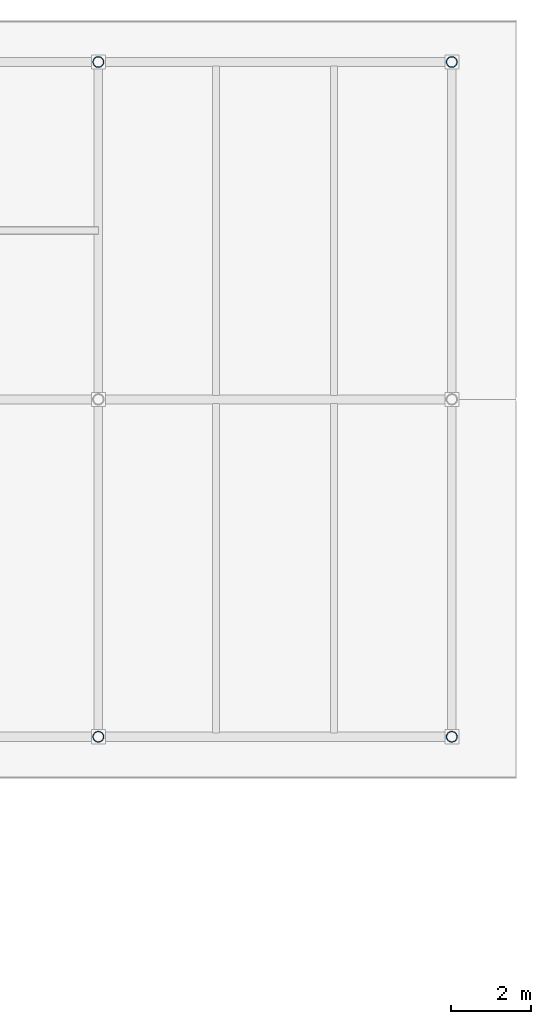
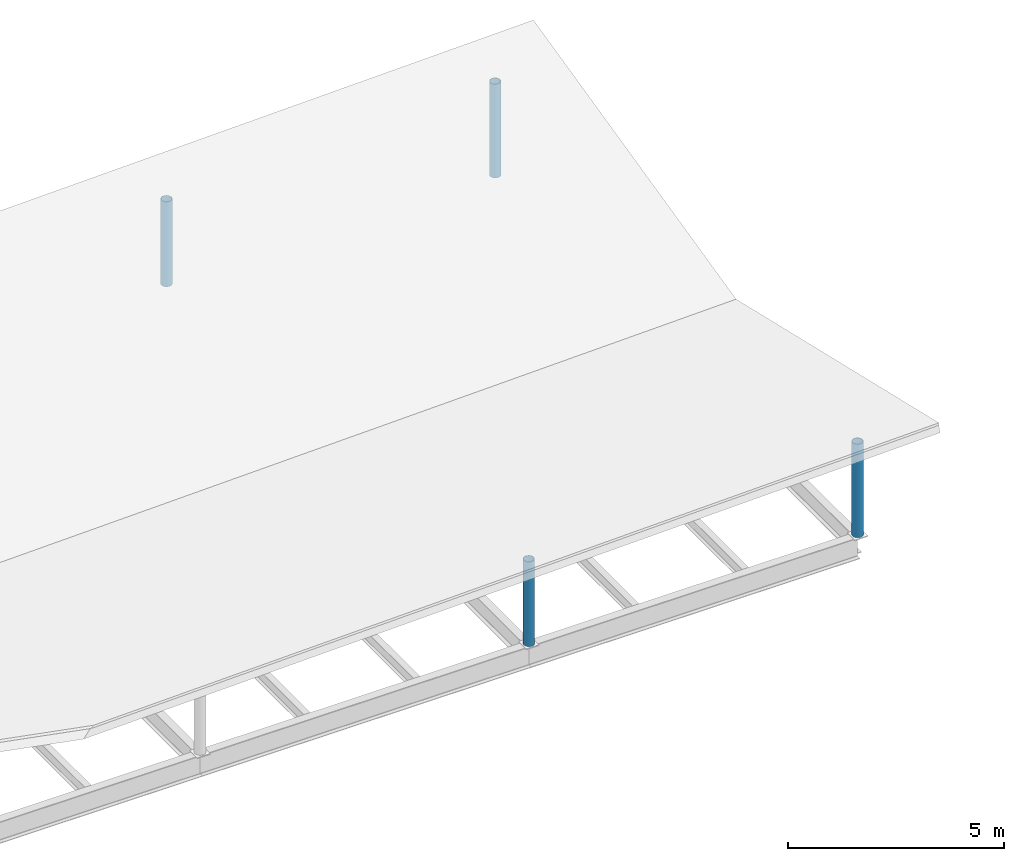
# One storey, part 5 of 65: 4 columns.
"""IFC4 building model written with IfcOpenShell, lengths in metres."""

from ifc_helpers import new_model, si_unit, direction, frame, origin, origin_2d, place, context, subcontext, project, spatial, hollow_circle, extrude, material, material_profile, profile_set, type_object, element, save


model = new_model("IFC4")

# Units and contexts
model_context = context("Model", 3, precision=1e-05, world=origin(), true_north=direction((0.0, 1.0)))
body_context = subcontext(model_context, "Body", "Model", "MODEL_VIEW")
ifc_project = project(units=[si_unit("LENGTHUNIT", "METRE"), si_unit("AREAUNIT", "SQUARE_METRE"), si_unit("VOLUMEUNIT", "CUBIC_METRE"), si_unit("PLANEANGLEUNIT", "RADIAN"), si_unit("MASSUNIT", "GRAM", prefix="KILO")], contexts=[model_context])

# Site, building, storey
site_placement = place(None, origin())
site = spatial("IfcSite", under=ifc_project, at=site_placement, CompositionType="ELEMENT")
building_placement = place(site_placement, origin())
building = spatial("IfcBuilding", under=site, at=building_placement, Name="Cinderway Yard Community Centre", CompositionType="ELEMENT")
storey_placement = place(building_placement, frame((0.0, 0.0, 24.300048828125)))
storey = spatial("IfcBuildingStorey", under=building, at=storey_placement, Name="RF", CompositionType="ELEMENT", Elevation=24.300048828125)

# Columns
ifc_material = material(Name="Steel S355", Category="steel")
ifc_material_profile = material_profile(ifc_material, hollow_circle(Radius=0.136474609375, WallThickness=0.012451171875, at=origin_2d()), Name="Steel S355")
ifc_profile_set = profile_set([ifc_material_profile], Name="Steel S355")
column_type = type_object("IfcColumnType", Name="STR-POST-CHS273", PredefinedType="PILASTER", material=ifc_profile_set)
for number, where, z_axis, x_axis, name in (
    (1, (110.39990234375, 98.39990234375, 0.0), (0.0, 0.0, 1.0), (1.0, 0.0, 0.0), "V4 scissored roof post 110_98"),
    (2, (110.39990234375, 115.199951171875, 0.0), (0.0, 0.0, 1.0), (1.0, 0.0, 0.0), "V4 scissored roof post 110_115"),
):
    element("IfcColumn", number, at=place(storey_placement, frame(where, z_axis=z_axis, x_axis=x_axis)), inside=storey, type_object=column_type, Name=name, PredefinedType="PILASTER", context=body_context, shape_type="SweptSolid", body=[
        extrude(hollow_circle(Radius=0.136474609375, WallThickness=0.012451171875, at=origin_2d()), origin(), (0.0, 0.0, 1.0), 2.40283203125),
    ])
for number, where, z_axis, x_axis, name in (
    (3, (119.199951171875, 98.39990234375, 0.0), (0.0, 0.0, 1.0), (1.0, 0.0, 0.0), "V4 scissored roof post 119_98"),
    (4, (119.199951171875, 115.199951171875, 0.0), (0.0, 0.0, 1.0), (1.0, 0.0, 0.0), "V4 scissored roof post 119_115"),
):
    element("IfcColumn", number, at=place(storey_placement, frame(where, z_axis=z_axis, x_axis=x_axis)), inside=storey, type_object=column_type, Name=name, PredefinedType="PILASTER", context=body_context, shape_type="SweptSolid", body=[
        extrude(hollow_circle(Radius=0.136474609375, WallThickness=0.012451171875, at=origin_2d()), origin(), (0.0, 0.0, 1.0), 2.65087890625),
    ])

save(model, "model.ifc")
